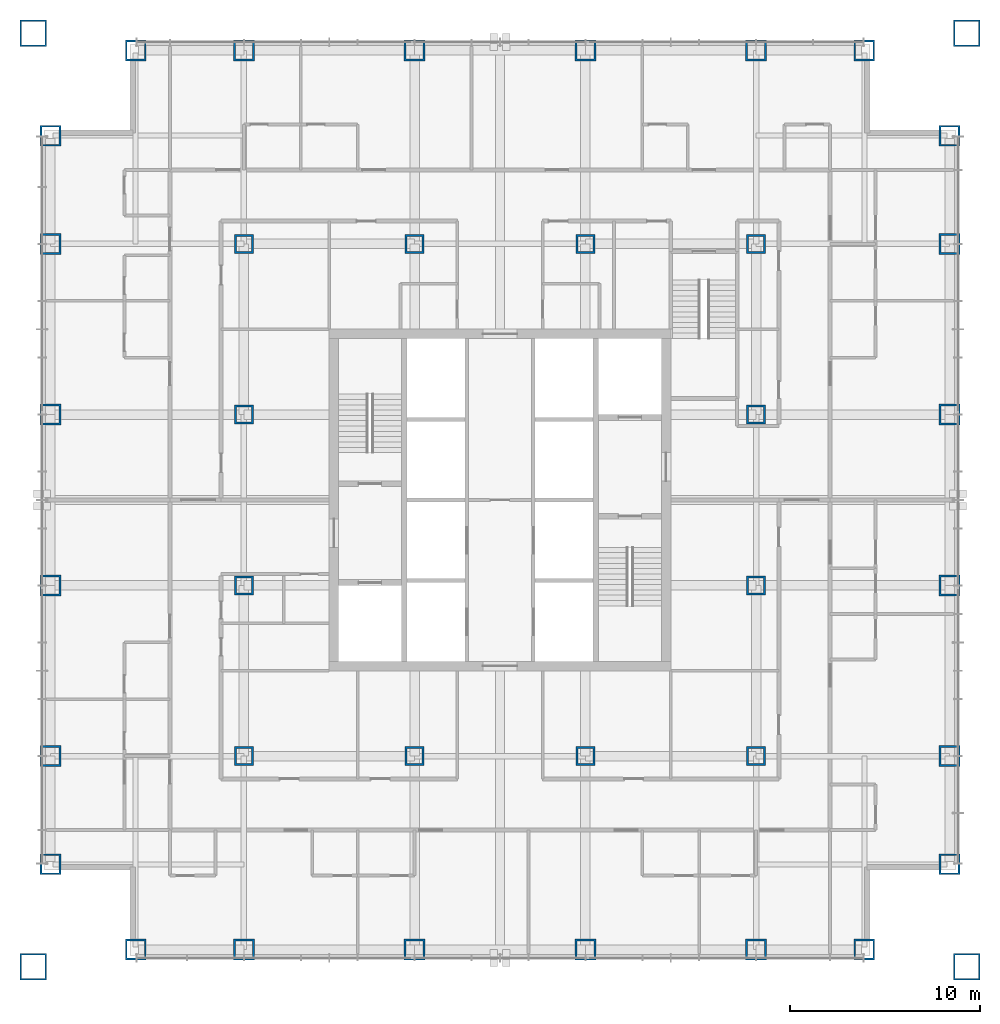
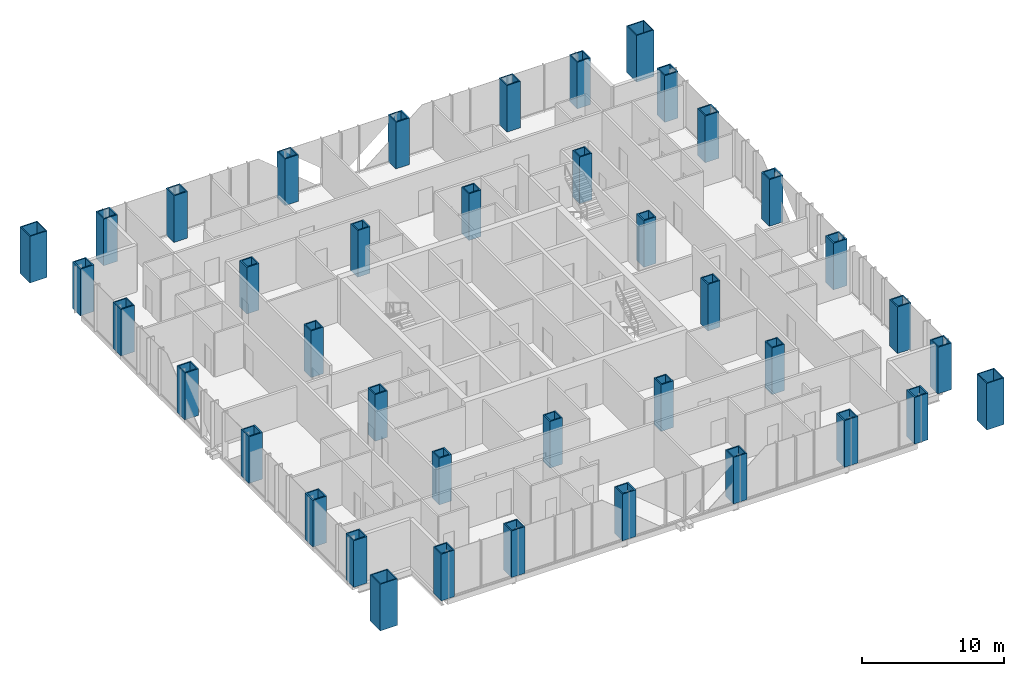
# One storey, part 1 of 17: 40 columns.
"""IFC4 building model written with IfcOpenShell, lengths in metres."""

import ifcopenshell
import ifcopenshell.guid

model = None  # the IFC model being written
_history = None  # IfcOwnerHistory: only IFC2X3 demands one
_inside = {}  # id of a spatial element -> (the spatial element, [elements in it])
_under = {}  # id of a project, library or spatial element -> (it, [spatial elements below it])
_declared = {}  # id of a project -> (the project, [libraries it declares])
_typed = {}  # id of a type object -> (the type object, [elements of that type])
_made_of = {}  # id of a material, layer set ... -> (it, [elements and type objects made of it])


def new_model(schema):
    """Start an empty IFC model of exactly this schema.

    Asked for "IFC4X3", IfcOpenShell would pick the latest addendum, in which some entities
    have other attributes; the version numbers below select the first issue.
    IFC2X3 requires an IfcOwnerHistory on every rooted entity: one is made here for all.
    """
    global model, _history
    if schema == "IFC4X3":
        model = ifcopenshell.file(schema_version=(4, 3, 0, 0))
    else:
        model = ifcopenshell.file(schema=schema)
    _inside.clear()
    _under.clear()
    _declared.clear()
    _typed.clear()
    _made_of.clear()
    _history = None
    if model.schema == "IFC2X3":
        org = make("IfcOrganization", Name="unknown")
        user = make(
            "IfcPersonAndOrganization",
            ThePerson=make("IfcPerson", FamilyName="unknown"),
            TheOrganization=org,
        )
        app = make(
            "IfcApplication",
            ApplicationDeveloper=org,
            Version="unknown",
            ApplicationFullName="unknown",
            ApplicationIdentifier="unknown",
        )
        _history = make(
            "IfcOwnerHistory",
            OwningUser=user,
            OwningApplication=app,
            ChangeAction="ADDED",
            CreationDate=0,
        )
    return model


def make(cls, **values):
    """One entity of the class cls with the attributes given. An attribute that is None is left unset."""
    return model.create_entity(
        cls, **{name: value for name, value in values.items() if value is not None}
    )


def rooted(cls, **values):
    """An entity with a GlobalId (a new one), such as an element, a storey or a relation."""
    return make(cls, GlobalId=ifcopenshell.guid.new(), OwnerHistory=_history, **values)


def si_unit(unit_type, name, prefix=None):
    """IfcSIUnit, for example si_unit("LENGTHUNIT", "METRE", prefix="MILLI")."""
    return make("IfcSIUnit", UnitType=unit_type, Prefix=prefix, Name=name)


def assignment(units):
    """IfcUnitAssignment: the units of a project."""
    return None if units is None else make("IfcUnitAssignment", Units=units)


def point(xyz):
    """IfcCartesianPoint."""
    return None if xyz is None else make("IfcCartesianPoint", Coordinates=xyz)


def direction(xyz):
    """IfcDirection."""
    return None if xyz is None else make("IfcDirection", DirectionRatios=xyz)


def frame(location, z_axis=None, x_axis=None):
    """IfcAxis2Placement3D, a coordinate frame: its origin and axes. An axis left out is left unset."""
    return make(
        "IfcAxis2Placement3D",
        Location=point(location),
        Axis=direction(z_axis),
        RefDirection=direction(x_axis),
    )


def frame_2d(location, x_axis=None):
    """IfcAxis2Placement2D, a coordinate frame in the plane: its origin and x axis."""
    return make(
        "IfcAxis2Placement2D", Location=point(location), RefDirection=direction(x_axis)
    )


def origin():
    """The frame at (0, 0, 0) with its axes left unset."""
    return frame((0.0, 0.0, 0.0))


def origin_2d():
    """The frame at (0, 0) in the plane with its x axis left unset."""
    return frame_2d((0.0, 0.0))


def place(relative_to, where):
    """IfcLocalPlacement: puts the frame where relative to a parent placement (None: the world)."""
    return make(
        "IfcLocalPlacement", PlacementRelTo=relative_to, RelativePlacement=where
    )


def context(
    kind, dimensions, precision=None, world=None, true_north=None, identifier=None
):
    """IfcGeometricRepresentationContext, for example the 3D "Model" context."""
    return make(
        "IfcGeometricRepresentationContext",
        ContextIdentifier=identifier,
        ContextType=kind,
        CoordinateSpaceDimension=dimensions,
        Precision=precision,
        WorldCoordinateSystem=world,
        TrueNorth=true_north,
    )


def subcontext(parent, identifier, kind, view, scale=None):
    """IfcGeometricRepresentationSubContext, for example "Body" below "Model"."""
    return make(
        "IfcGeometricRepresentationSubContext",
        ContextIdentifier=identifier,
        ContextType=kind,
        ParentContext=parent,
        TargetScale=scale,
        TargetView=view,
    )


def project(units=None, contexts=None):
    """IfcProject with its units and contexts."""
    return rooted(
        "IfcProject",
        Name="project",
        RepresentationContexts=contexts,
        UnitsInContext=assignment(units),
    )


def spatial(cls, under=None, at=None, **own):
    """A site, building, storey or space (cls), placed at a placement, below another one or the project."""
    s = rooted(cls, ObjectPlacement=at, **own)
    if under is not None:
        _under.setdefault(under.id(), (under, []))[1].append(s)
    return s


def profile(cls, at=None, kind="AREA", **sizes):
    """A parametric profile (cls). Its sizes go by their IFC names, for example OverallWidth=200.0."""
    return make(cls, ProfileType=kind, Position=at, **sizes)


def hollow_rectangle(**sizes):
    """IfcRectangleHollowProfileDef."""
    return profile("IfcRectangleHollowProfileDef", **sizes)


def extrude(swept, where, along, depth):
    """IfcExtrudedAreaSolid: the profile swept, set in the frame where, extruded along a direction by depth."""
    return make(
        "IfcExtrudedAreaSolid",
        SweptArea=swept,
        Position=where,
        ExtrudedDirection=direction(along),
        Depth=depth,
    )


def shape(context_of_items, identifier, shape_type, items):
    """IfcShapeRepresentation: the items that make up one representation, for example the "Body"."""
    return make(
        "IfcShapeRepresentation",
        ContextOfItems=context_of_items,
        RepresentationIdentifier=identifier,
        RepresentationType=shape_type,
        Items=items,
    )


def material(Name=None, Category=None):
    """IfcMaterial."""
    return make("IfcMaterial", Name=Name, Category=Category)


def material_profile(
    of_material, cross_section, Name=None, Category=None, Priority=None
):
    """IfcMaterialProfile: a cross section and its material."""
    return make(
        "IfcMaterialProfile",
        Name=Name,
        Material=of_material,
        Profile=cross_section,
        Priority=Priority,
        Category=Category,
    )


def profile_set(profiles, Name=None, composite=None):
    """IfcMaterialProfileSet."""
    return make(
        "IfcMaterialProfileSet",
        Name=Name,
        MaterialProfiles=profiles,
        CompositeProfile=composite,
    )


def made_of(thing, what):
    """Note that an element or type object is made of a material, layer set ...; save() writes the relation."""
    if what is not None:
        _made_of.setdefault(what.id(), (what, []))[1].append(thing)
    return thing


def type_object(cls, material=None, **own):
    """A type object (cls), such as IfcWallType, which elements share."""
    return made_of(rooted(cls, **own), material)


def element(
    cls,
    number,
    at=None,
    inside=None,
    cuts=None,
    type_object=None,
    material=None,
    context=None,
    identifier="Body",
    shape_type=None,
    held_by="IfcProductDefinitionShape",
    body=None,
    shapes=None,
    **own,
):
    """One element of the class cls, such as IfcWall. Its Tag is "e" and its number.

    at: its placement. inside: the storey or other place that contains it. cuts: it is an
    opening in that element (IfcRelVoidsElement). A single representation is given by context,
    identifier, shape_type and body (its items); several are given by shapes. held_by: the class
    of the entity that holds the representations. save() writes the other relations.
    """
    e = rooted(cls, Tag="e%d" % number, ObjectPlacement=at, **own)
    if body is not None:
        shapes = [shape(context, identifier, shape_type, body)]
    if shapes is not None:
        e.Representation = make(held_by, Representations=shapes)
    if inside is not None:
        _inside.setdefault(inside.id(), (inside, []))[1].append(e)
    if cuts is not None:
        rooted(
            "IfcRelVoidsElement", RelatingBuildingElement=cuts, RelatedOpeningElement=e
        )
    if type_object is not None:
        _typed.setdefault(type_object.id(), (type_object, []))[1].append(e)
    return made_of(e, material)


def aggregate(whole, parts):
    """IfcRelAggregates: a whole, such as a stair, and the parts it consists of."""
    return rooted("IfcRelAggregates", RelatingObject=whole, RelatedObjects=parts)


def save(model, path):
    """Write the relations noted so far, then the file.

    IfcRelAggregates (storeys below a building ...), IfcRelContainedInSpatialStructure (elements
    in a storey), IfcRelDefinesByType, IfcRelAssociatesMaterial and IfcRelDeclares: one each for
    every whole, place, type object, material and project.
    """
    for whole, parts in _under.values():
        aggregate(whole, parts)
    for where, things in _inside.values():
        rooted(
            "IfcRelContainedInSpatialStructure",
            RelatedElements=things,
            RelatingStructure=where,
        )
    for kind, things in _typed.values():
        rooted("IfcRelDefinesByType", RelatedObjects=things, RelatingType=kind)
    for what, things in _made_of.values():
        rooted("IfcRelAssociatesMaterial", RelatedObjects=things, RelatingMaterial=what)
    for by, libraries in _declared.values():
        rooted("IfcRelDeclares", RelatingContext=by, RelatedDefinitions=libraries)
    model.write(path)


model = new_model("IFC4")

# Units and contexts
model_context = context("Model", 3, precision=1e-05, world=origin(), true_north=direction((0.0, 1.0)))
body_context = subcontext(model_context, "Body", "Model", "MODEL_VIEW")
ifc_project = project(units=[si_unit("LENGTHUNIT", "METRE"), si_unit("AREAUNIT", "SQUARE_METRE"), si_unit("VOLUMEUNIT", "CUBIC_METRE"), si_unit("PLANEANGLEUNIT", "RADIAN"), si_unit("MASSUNIT", "GRAM", prefix="KILO")], contexts=[model_context])

# Site, building, storey
site_placement = place(None, origin())
site = spatial("IfcSite", under=ifc_project, at=site_placement, CompositionType="ELEMENT")
building_placement = place(site_placement, origin())
building = spatial("IfcBuilding", under=site, at=building_placement, Name="Malebo Sky Hospital", CompositionType="ELEMENT")
storey_placement = place(building_placement, frame((0.0, 0.0, 120.0)))
storey = spatial("IfcBuildingStorey", under=building, at=storey_placement, Name="L28", CompositionType="ELEMENT", Elevation=120.0)

# Columns
ifc_material = material(Name="Steel S460", Category="steel")
ifc_material_profile_1 = material_profile(ifc_material, hollow_rectangle(XDim=1.0, YDim=1.0, WallThickness=0.10009765625, at=origin_2d()), Name="BOX 1000x1000x100")
ifc_profile_set_1 = profile_set([ifc_material_profile_1], Name="Steel S460")
column_type_1 = type_object("IfcColumnType", Name="INNER COLUMN BOX 1000x1000x100", PredefinedType="COLUMN", material=ifc_profile_set_1)
for number, where, z_axis, x_axis, name in (
    (1, (46.5, 48.5, 0.0), (0.0, 0.0, 1.0), (1.0, 0.0, 0.0), "Column IC9 L28"),
    (2, (73.5, 48.5, 0.0), (0.0, 0.0, 1.0), (1.0, 0.0, 0.0), "Column IC9 L28"),
    (3, (73.5, 75.5, 0.0), (0.0, 0.0, 1.0), (1.0, 0.0, 0.0), "Column IC9 L28"),
    (4, (46.5, 75.5, 0.0), (0.0, 0.0, 1.0), (1.0, 0.0, 0.0), "Column IC9 L28"),
    (5, (55.5, 48.5, 0.0), (0.0, 0.0, 1.0), (1.0, 0.0, 0.0), "Column IC9 L28"),
    (6, (64.5, 48.5, 0.0), (0.0, 0.0, 1.0), (1.0, 0.0, 0.0), "Column IC9 L28"),
    (7, (55.5, 75.5, 0.0), (0.0, 0.0, 1.0), (1.0, 0.0, 0.0), "Column IC9 L28"),
    (8, (64.5, 75.5, 0.0), (0.0, 0.0, 1.0), (1.0, 0.0, 0.0), "Column IC9 L28"),
    (9, (46.5, 57.5, 0.0), (0.0, 0.0, 1.0), (1.0, 0.0, 0.0), "Column IC9 L28"),
    (10, (46.5, 66.5, 0.0), (0.0, 0.0, 1.0), (1.0, 0.0, 0.0), "Column IC9 L28"),
    (11, (73.5, 57.5, 0.0), (0.0, 0.0, 1.0), (1.0, 0.0, 0.0), "Column IC9 L28"),
    (12, (73.5, 66.5, 0.0), (0.0, 0.0, 1.0), (1.0, 0.0, 0.0), "Column IC9 L28"),
):
    element("IfcColumn", number, at=place(storey_placement, frame(where, z_axis=z_axis, x_axis=x_axis)), inside=storey, type_object=column_type_1, Name=name, PredefinedType="COLUMN", context=body_context, shape_type="SweptSolid", body=[
        extrude(hollow_rectangle(XDim=1.0, YDim=1.0, WallThickness=0.10009765625, at=origin_2d()), origin(), (0.0, 0.0, 1.0), 4.0),
    ])
ifc_material_profile_2 = material_profile(ifc_material, hollow_rectangle(XDim=1.39990234375, YDim=1.39990234375, WallThickness=0.080078125, at=origin_2d()), Name="BOX 1400x1400x80")
ifc_profile_set_2 = profile_set([ifc_material_profile_2], Name="Steel S460")
column_type_2 = type_object("IfcColumnType", Name="MEGA COLUMN BOX 1400x1400x80", PredefinedType="COLUMN", material=ifc_profile_set_2)
for number, where, z_axis, x_axis, name in (
    (13, (35.39990234375, 37.39990234375, 0.0), (0.0, 0.0, 1.0), (1.0, 0.0, 0.0), "Mega column SW L28"),
    (14, (84.60009765625, 37.39990234375, 0.0), (0.0, 0.0, 1.0), (1.0, 0.0, 0.0), "Mega column SE L28"),
    (15, (84.60009765625, 86.60009765625, 0.0), (0.0, 0.0, 1.0), (1.0, 0.0, 0.0), "Mega column NE L28"),
    (16, (35.39990234375, 86.60009765625, 0.0), (0.0, 0.0, 1.0), (1.0, 0.0, 0.0), "Mega column NW L28"),
):
    element("IfcColumn", number, at=place(storey_placement, frame(where, z_axis=z_axis, x_axis=x_axis)), inside=storey, type_object=column_type_2, Name=name, PredefinedType="COLUMN", context=body_context, shape_type="SweptSolid", body=[
        extrude(hollow_rectangle(XDim=1.39990234375, YDim=1.39990234375, WallThickness=0.080078125, at=origin_2d()), origin(), (0.0, 0.0, 1.0), 4.0),
    ])
ifc_material_profile_3 = material_profile(ifc_material, hollow_rectangle(XDim=1.10009765625, YDim=1.10009765625, WallThickness=0.10009765625, at=origin_2d()), Name="BOX 1100x1100x100")
ifc_profile_set_3 = profile_set([ifc_material_profile_3], Name="Steel S460")
column_type_3 = type_object("IfcColumnType", Name="PERIMETER COLUMN BOX 1100x1100x100", PredefinedType="COLUMN", material=ifc_profile_set_3)
for number, where, z_axis, x_axis, name in (
    (17, (40.800048828125, 38.300048828125, 0.0), (0.0, 0.0, 1.0), (1.0, 0.0, 0.0), "Column PC10 L28"),
    (18, (40.800048828125, 85.699951171875, 0.0), (0.0, 0.0, 1.0), (1.0, 0.0, 0.0), "Column PC10 L28"),
    (19, (36.300048828125, 42.800048828125, 0.0), (0.0, 0.0, 1.0), (1.0, 0.0, 0.0), "Column PC10 L28"),
    (20, (83.699951171875, 42.800048828125, 0.0), (0.0, 0.0, 1.0), (1.0, 0.0, 0.0), "Column PC10 L28"),
    (21, (46.5, 38.300048828125, 0.0), (0.0, 0.0, 1.0), (1.0, 0.0, 0.0), "Column PC10 L28"),
    (22, (46.5, 85.699951171875, 0.0), (0.0, 0.0, 1.0), (1.0, 0.0, 0.0), "Column PC10 L28"),
    (23, (36.300048828125, 48.5, 0.0), (0.0, 0.0, 1.0), (1.0, 0.0, 0.0), "Column PC10 L28"),
    (24, (83.699951171875, 48.5, 0.0), (0.0, 0.0, 1.0), (1.0, 0.0, 0.0), "Column PC10 L28"),
    (25, (55.5, 38.300048828125, 0.0), (0.0, 0.0, 1.0), (1.0, 0.0, 0.0), "Column PC10 L28"),
    (26, (55.5, 85.699951171875, 0.0), (0.0, 0.0, 1.0), (1.0, 0.0, 0.0), "Column PC10 L28"),
    (27, (36.300048828125, 57.5, 0.0), (0.0, 0.0, 1.0), (1.0, 0.0, 0.0), "Column PC10 L28"),
    (28, (83.699951171875, 57.5, 0.0), (0.0, 0.0, 1.0), (1.0, 0.0, 0.0), "Column PC10 L28"),
    (29, (64.5, 38.300048828125, 0.0), (0.0, 0.0, 1.0), (1.0, 0.0, 0.0), "Column PC10 L28"),
    (30, (64.5, 85.699951171875, 0.0), (0.0, 0.0, 1.0), (1.0, 0.0, 0.0), "Column PC10 L28"),
    (31, (36.300048828125, 66.5, 0.0), (0.0, 0.0, 1.0), (1.0, 0.0, 0.0), "Column PC10 L28"),
    (32, (83.699951171875, 66.5, 0.0), (0.0, 0.0, 1.0), (1.0, 0.0, 0.0), "Column PC10 L28"),
    (33, (73.5, 38.300048828125, 0.0), (0.0, 0.0, 1.0), (1.0, 0.0, 0.0), "Column PC10 L28"),
    (34, (73.5, 85.699951171875, 0.0), (0.0, 0.0, 1.0), (1.0, 0.0, 0.0), "Column PC10 L28"),
    (35, (36.300048828125, 75.5, 0.0), (0.0, 0.0, 1.0), (1.0, 0.0, 0.0), "Column PC10 L28"),
    (36, (83.699951171875, 75.5, 0.0), (0.0, 0.0, 1.0), (1.0, 0.0, 0.0), "Column PC10 L28"),
    (37, (79.199951171875, 38.300048828125, 0.0), (0.0, 0.0, 1.0), (1.0, 0.0, 0.0), "Column PC10 L28"),
    (38, (79.199951171875, 85.699951171875, 0.0), (0.0, 0.0, 1.0), (1.0, 0.0, 0.0), "Column PC10 L28"),
    (39, (36.300048828125, 81.199951171875, 0.0), (0.0, 0.0, 1.0), (1.0, 0.0, 0.0), "Column PC10 L28"),
    (40, (83.699951171875, 81.199951171875, 0.0), (0.0, 0.0, 1.0), (1.0, 0.0, 0.0), "Column PC10 L28"),
):
    element("IfcColumn", number, at=place(storey_placement, frame(where, z_axis=z_axis, x_axis=x_axis)), inside=storey, type_object=column_type_3, Name=name, PredefinedType="COLUMN", context=body_context, shape_type="SweptSolid", body=[
        extrude(hollow_rectangle(XDim=1.10009765625, YDim=1.10009765625, WallThickness=0.10009765625, at=origin_2d()), origin(), (0.0, 0.0, 1.0), 4.0),
    ])

save(model, "model.ifc")
